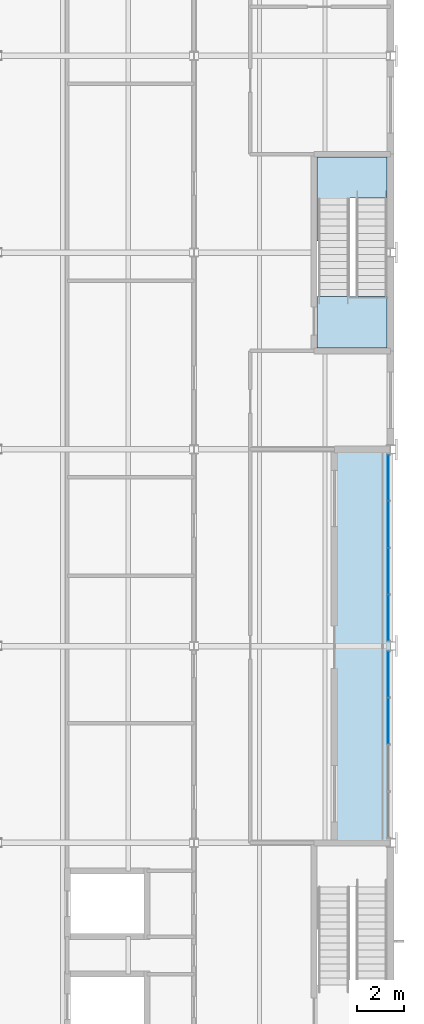
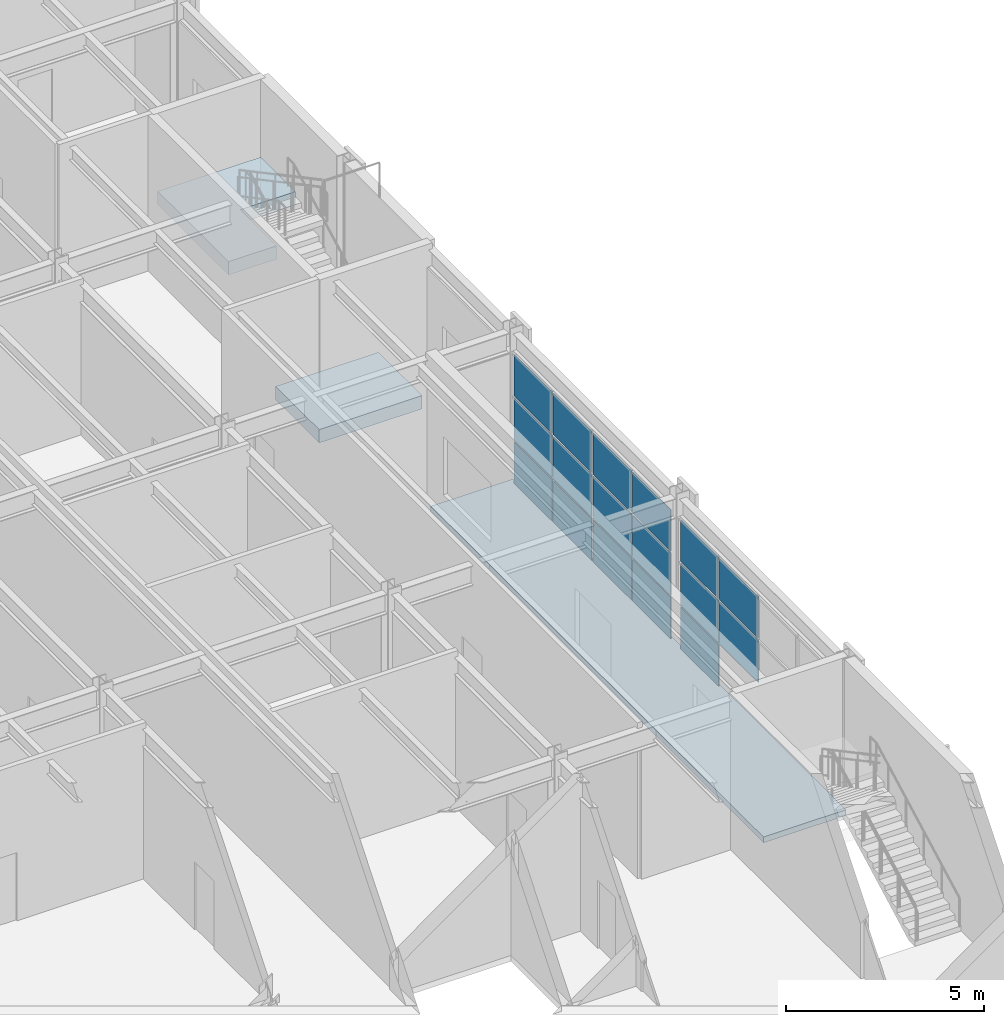
# One storey, part 57 of 127: 17 plates, 3 slabs, 3 elements without a shape of their own.
"""IFC4 building model written with IfcOpenShell, lengths in metres."""

from ifc_helpers import new_model, si_unit, direction, frame, origin, origin_2d, place, context, subcontext, project, spatial, polyline, rectangle, outline, extrude, material, layer, layer_set, type_object, element, aggregate, save


model = new_model("IFC4")

# Units and contexts
model_context = context("Model", 3, precision=1e-05, world=origin(), true_north=direction((0.0, 1.0)))
body_context = subcontext(model_context, "Body", "Model", "MODEL_VIEW")
ifc_project = project(units=[si_unit("LENGTHUNIT", "METRE"), si_unit("AREAUNIT", "SQUARE_METRE"), si_unit("VOLUMEUNIT", "CUBIC_METRE"), si_unit("PLANEANGLEUNIT", "RADIAN"), si_unit("MASSUNIT", "GRAM", prefix="KILO")], contexts=[model_context])

# Site, building, storey
site_placement = place(None, origin())
site = spatial("IfcSite", under=ifc_project, at=site_placement, CompositionType="ELEMENT")
building_placement = place(site_placement, origin())
building = spatial("IfcBuilding", under=site, at=building_placement, Name="Ljudholm Concert House", CompositionType="ELEMENT")
storey_placement = place(building_placement, frame((0.0, 0.0, 5.39990234375)))
storey = spatial("IfcBuildingStorey", under=building, at=storey_placement, Name="L01", CompositionType="ELEMENT", Elevation=5.39990234375)

# Slab
ifc_material_1 = material(Name="Concrete 5,000 psi", Category="concrete")
ifc_layer_1 = layer(ifc_material_1, 0.179931640625)
ifc_layer_set_1 = layer_set([ifc_layer_1], Name="Concrete 5,000 psi")
slab_type_1 = type_object("IfcSlabType", Name="COMPOSITE FLOOR SLAB 180 EXTERNAL", PredefinedType="FLOOR", material=ifc_layer_set_1)
slab_1_placement = place(storey_placement, frame((0.0, 0.0, -0.179931640625)))
element("IfcSlab", 1, at=slab_1_placement, inside=storey, type_object=slab_type_1, Name="Loggia floor slab", PredefinedType="FLOOR", context=body_context, shape_type="SweptSolid", body=[
    extrude(outline(polyline([(119.199951171875, 37.60009765625), (121.60009765625, 37.60009765625), (121.60009765625, 54.39990234375), (119.199951171875, 54.39990234375), (119.199951171875, 37.60009765625)])), origin(), (0.0, 0.0, 1.0), 0.179931640625),
])

# Curtain wall, plates
ifc_material_2 = material(Name="Aluminium curtain wall with fixed aluminium storm louvre blades, timber-grain finish", Category="aluminium")
curtain_wall_type = type_object("IfcCurtainWallType", Name="CURTAIN WALL 2000", PredefinedType="NOTDEFINED", material=ifc_material_2)
curtain_wall_1_placement = place(storey_placement, origin())
curtain_wall_1 = element("IfcCurtainWall", 2, at=curtain_wall_1_placement, inside=storey, type_object=curtain_wall_type, Name="Storm louvre screen", PredefinedType="NOTDEFINED")
ifc_material_3 = material(Name="Fixed aluminium storm louvre blades, timber-grain finish", Category="aluminium")
ifc_layer_2 = layer(ifc_material_3, 0.030029296875)
ifc_layer_set_2 = layer_set([ifc_layer_2], Name="Fixed aluminium storm louvre blades, timber-grain finish")
plate_type = type_object("IfcPlateType", Name="CURTAIN PANEL 30", PredefinedType="CURTAIN_PANEL", material=ifc_layer_set_2)
plate_1_placement = place(storey_placement, frame((121.5, 42.802490234375, 1.392333984375), z_axis=(0.0, 0.0, 1.0), x_axis=(0.0, 1.0, 0.0)))
plate_1 = element("IfcPlate", 3, at=plate_1_placement, type_object=plate_type, Name="Curtain wall panel", PredefinedType="CURTAIN_PANEL", context=body_context, shape_type="SweptSolid", body=[
    extrude(rectangle(XDim=1.945068359375, YDim=0.030029296875, at=origin_2d()), origin(), (0.0, 0.0, 1.0), 1.30224609375),
])
plate_2_placement = place(storey_placement, frame((121.5, 42.802490234375, 2.75439453125), z_axis=(0.0, 0.0, 1.0), x_axis=(0.0, 1.0, 0.0)))
plate_2 = element("IfcPlate", 4, at=plate_2_placement, type_object=plate_type, Name="Curtain wall panel", PredefinedType="CURTAIN_PANEL", context=body_context, shape_type="SweptSolid", body=[
    extrude(rectangle(XDim=1.945068359375, YDim=0.030029296875, at=origin_2d()), origin(), (0.0, 0.0, 1.0), 1.272216796875),
])
plate_3_placement = place(storey_placement, frame((121.5, 44.79248046875, 0.06005859375), z_axis=(0.0, 0.0, 1.0), x_axis=(0.0, 1.0, 0.0)))
plate_3 = element("IfcPlate", 5, at=plate_3_placement, type_object=plate_type, Name="Curtain wall panel", PredefinedType="CURTAIN_PANEL", context=body_context, shape_type="SweptSolid", body=[
    extrude(rectangle(XDim=1.9150390625, YDim=0.030029296875, at=origin_2d()), origin(), (0.0, 0.0, 1.0), 1.272216796875),
])
plate_4_placement = place(storey_placement, frame((121.5, 44.79248046875, 1.392333984375), z_axis=(0.0, 0.0, 1.0), x_axis=(0.0, 1.0, 0.0)))
plate_4 = element("IfcPlate", 6, at=plate_4_placement, type_object=plate_type, Name="Curtain wall panel", PredefinedType="CURTAIN_PANEL", context=body_context, shape_type="SweptSolid", body=[
    extrude(rectangle(XDim=1.9150390625, YDim=0.030029296875, at=origin_2d()), origin(), (0.0, 0.0, 1.0), 1.30224609375),
])
plate_5_placement = place(storey_placement, frame((121.5, 44.79248046875, 2.75439453125), z_axis=(0.0, 0.0, 1.0), x_axis=(0.0, 1.0, 0.0)))
plate_5 = element("IfcPlate", 7, at=plate_5_placement, type_object=plate_type, Name="Curtain wall panel", PredefinedType="CURTAIN_PANEL", context=body_context, shape_type="SweptSolid", body=[
    extrude(rectangle(XDim=1.9150390625, YDim=0.030029296875, at=origin_2d()), origin(), (0.0, 0.0, 1.0), 1.272216796875),
])
aggregate(curtain_wall_1, [plate_1, plate_2, plate_3, plate_4, plate_5])

curtain_wall_2_placement = place(storey_placement, origin())
curtain_wall_2 = element("IfcCurtainWall", 8, at=curtain_wall_2_placement, inside=storey, type_object=curtain_wall_type, Name="Storm louvre screen", PredefinedType="NOTDEFINED")
plate_6_placement = place(storey_placement, frame((121.5, 47.20751953125, 0.06005859375), z_axis=(0.0, 0.0, 1.0), x_axis=(0.0, 1.0, 0.0)))
plate_6 = element("IfcPlate", 9, at=plate_6_placement, type_object=plate_type, Name="Curtain wall panel", PredefinedType="CURTAIN_PANEL", context=body_context, shape_type="SweptSolid", body=[
    extrude(rectangle(XDim=1.9150390625, YDim=0.030029296875, at=origin_2d()), origin(), (0.0, 0.0, 1.0), 1.272216796875),
])
plate_7_placement = place(storey_placement, frame((121.5, 47.20751953125, 1.392333984375), z_axis=(0.0, 0.0, 1.0), x_axis=(0.0, 1.0, 0.0)))
plate_7 = element("IfcPlate", 10, at=plate_7_placement, type_object=plate_type, Name="Curtain wall panel", PredefinedType="CURTAIN_PANEL", context=body_context, shape_type="SweptSolid", body=[
    extrude(rectangle(XDim=1.9150390625, YDim=0.030029296875, at=origin_2d()), origin(), (0.0, 0.0, 1.0), 1.30224609375),
])
plate_8_placement = place(storey_placement, frame((121.5, 47.20751953125, 2.75439453125), z_axis=(0.0, 0.0, 1.0), x_axis=(0.0, 1.0, 0.0)))
plate_8 = element("IfcPlate", 11, at=plate_8_placement, type_object=plate_type, Name="Curtain wall panel", PredefinedType="CURTAIN_PANEL", context=body_context, shape_type="SweptSolid", body=[
    extrude(rectangle(XDim=1.9150390625, YDim=0.030029296875, at=origin_2d()), origin(), (0.0, 0.0, 1.0), 1.272216796875),
])
plate_9_placement = place(storey_placement, frame((121.5, 49.197509765625, 0.06005859375), z_axis=(0.0, 0.0, 1.0), x_axis=(0.0, 1.0, 0.0)))
plate_9 = element("IfcPlate", 12, at=plate_9_placement, type_object=plate_type, Name="Curtain wall panel", PredefinedType="CURTAIN_PANEL", context=body_context, shape_type="SweptSolid", body=[
    extrude(rectangle(XDim=1.945068359375, YDim=0.030029296875, at=origin_2d()), origin(), (0.0, 0.0, 1.0), 1.272216796875),
])
plate_10_placement = place(storey_placement, frame((121.5, 49.197509765625, 1.392333984375), z_axis=(0.0, 0.0, 1.0), x_axis=(0.0, 1.0, 0.0)))
plate_10 = element("IfcPlate", 13, at=plate_10_placement, type_object=plate_type, Name="Curtain wall panel", PredefinedType="CURTAIN_PANEL", context=body_context, shape_type="SweptSolid", body=[
    extrude(rectangle(XDim=1.945068359375, YDim=0.030029296875, at=origin_2d()), origin(), (0.0, 0.0, 1.0), 1.30224609375),
])
plate_11_placement = place(storey_placement, frame((121.5, 49.197509765625, 2.75439453125), z_axis=(0.0, 0.0, 1.0), x_axis=(0.0, 1.0, 0.0)))
plate_11 = element("IfcPlate", 14, at=plate_11_placement, type_object=plate_type, Name="Curtain wall panel", PredefinedType="CURTAIN_PANEL", context=body_context, shape_type="SweptSolid", body=[
    extrude(rectangle(XDim=1.945068359375, YDim=0.030029296875, at=origin_2d()), origin(), (0.0, 0.0, 1.0), 1.272216796875),
])
plate_12_placement = place(storey_placement, frame((121.5, 51.202392578125, 0.06005859375), z_axis=(0.0, 0.0, 1.0), x_axis=(0.0, 1.0, 0.0)))
plate_12 = element("IfcPlate", 15, at=plate_12_placement, type_object=plate_type, Name="Curtain wall panel", PredefinedType="CURTAIN_PANEL", context=body_context, shape_type="SweptSolid", body=[
    extrude(rectangle(XDim=1.945068359375, YDim=0.030029296875, at=origin_2d()), origin(), (0.0, 0.0, 1.0), 1.272216796875),
])
plate_13_placement = place(storey_placement, frame((121.5, 51.202392578125, 1.392333984375), z_axis=(0.0, 0.0, 1.0), x_axis=(0.0, 1.0, 0.0)))
plate_13 = element("IfcPlate", 16, at=plate_13_placement, type_object=plate_type, Name="Curtain wall panel", PredefinedType="CURTAIN_PANEL", context=body_context, shape_type="SweptSolid", body=[
    extrude(rectangle(XDim=1.945068359375, YDim=0.030029296875, at=origin_2d()), origin(), (0.0, 0.0, 1.0), 1.30224609375),
])
plate_14_placement = place(storey_placement, frame((121.5, 51.202392578125, 2.75439453125), z_axis=(0.0, 0.0, 1.0), x_axis=(0.0, 1.0, 0.0)))
plate_14 = element("IfcPlate", 17, at=plate_14_placement, type_object=plate_type, Name="Curtain wall panel", PredefinedType="CURTAIN_PANEL", context=body_context, shape_type="SweptSolid", body=[
    extrude(rectangle(XDim=1.945068359375, YDim=0.030029296875, at=origin_2d()), origin(), (0.0, 0.0, 1.0), 1.272216796875),
])
plate_15_placement = place(storey_placement, frame((121.5, 53.1923828125, 0.06005859375), z_axis=(0.0, 0.0, 1.0), x_axis=(0.0, 1.0, 0.0)))
plate_15 = element("IfcPlate", 18, at=plate_15_placement, type_object=plate_type, Name="Curtain wall panel", PredefinedType="CURTAIN_PANEL", context=body_context, shape_type="SweptSolid", body=[
    extrude(rectangle(XDim=1.9150390625, YDim=0.030029296875, at=origin_2d()), origin(), (0.0, 0.0, 1.0), 1.272216796875),
])
plate_16_placement = place(storey_placement, frame((121.5, 53.1923828125, 1.392333984375), z_axis=(0.0, 0.0, 1.0), x_axis=(0.0, 1.0, 0.0)))
plate_16 = element("IfcPlate", 19, at=plate_16_placement, type_object=plate_type, Name="Curtain wall panel", PredefinedType="CURTAIN_PANEL", context=body_context, shape_type="SweptSolid", body=[
    extrude(rectangle(XDim=1.9150390625, YDim=0.030029296875, at=origin_2d()), origin(), (0.0, 0.0, 1.0), 1.30224609375),
])
plate_17_placement = place(storey_placement, frame((121.5, 53.1923828125, 2.75439453125), z_axis=(0.0, 0.0, 1.0), x_axis=(0.0, 1.0, 0.0)))
plate_17 = element("IfcPlate", 20, at=plate_17_placement, type_object=plate_type, Name="Curtain wall panel", PredefinedType="CURTAIN_PANEL", context=body_context, shape_type="SweptSolid", body=[
    extrude(rectangle(XDim=1.9150390625, YDim=0.030029296875, at=origin_2d()), origin(), (0.0, 0.0, 1.0), 1.272216796875),
])
aggregate(curtain_wall_2, [plate_6, plate_7, plate_8, plate_9, plate_10, plate_11, plate_12, plate_13, plate_14, plate_15, plate_16, plate_17])

# Stair, slab
ifc_material_4 = material(Name="Concrete 5,000 psi", Category="concrete")
stair_type = type_object("IfcStairType", Name="RC STAIR 1350x160x300", PredefinedType="HALF_TURN_STAIR", material=ifc_material_4)
stair_placement = place(storey_placement, origin())
stair = element("IfcStair", 21, at=stair_placement, inside=storey, type_object=stair_type, Name="Stair SB3", PredefinedType="HALF_TURN_STAIR")
ifc_material_5 = material(Name="Concrete 5,000 psi", Category="concrete")
ifc_layer_3 = layer(ifc_material_5, 0.409912109375)
ifc_layer_set_3 = layer_set([ifc_layer_3], Name="Concrete 5,000 psi")
slab_type_2 = type_object("IfcSlabType", Name="RC LANDING 410", PredefinedType="LANDING", material=ifc_layer_set_3)
slab_2_placement = place(storey_placement, frame((0.0, 0.0, 1.989990234375)))
slab_2 = element("IfcSlab", 22, at=slab_2_placement, type_object=slab_type_2, Name="Stair landing", PredefinedType="LANDING", context=body_context, shape_type="SweptSolid", body=[
    extrude(outline(polyline([(118.449951171875, 63.294921875), (119.85009765625, 63.294921875), (119.85009765625, 65.12451171875), (121.449951171875, 65.12451171875), (121.449951171875, 66.875), (118.449951171875, 66.875), (118.449951171875, 63.294921875)])), origin(), (0.0, 0.0, 1.0), 0.41015625),
])
aggregate(stair, [slab_2])

# Slab
slab_3_placement = place(storey_placement, frame((0.0, 0.0, -0.409912109375)))
element("IfcSlab", 23, at=slab_3_placement, inside=storey, type_object=slab_type_2, Name="Stair arrival slab", PredefinedType="LANDING", context=body_context, shape_type="SweptSolid", body=[
    extrude(outline(polyline([(121.449951171875, 58.72509765625), (118.449951171875, 58.72509765625), (118.449951171875, 60.925537109375), (121.449951171875, 60.925537109375), (121.449951171875, 58.72509765625)])), origin(), (0.0, 0.0, 1.0), 0.409912109375),
])

save(model, "model.ifc")
